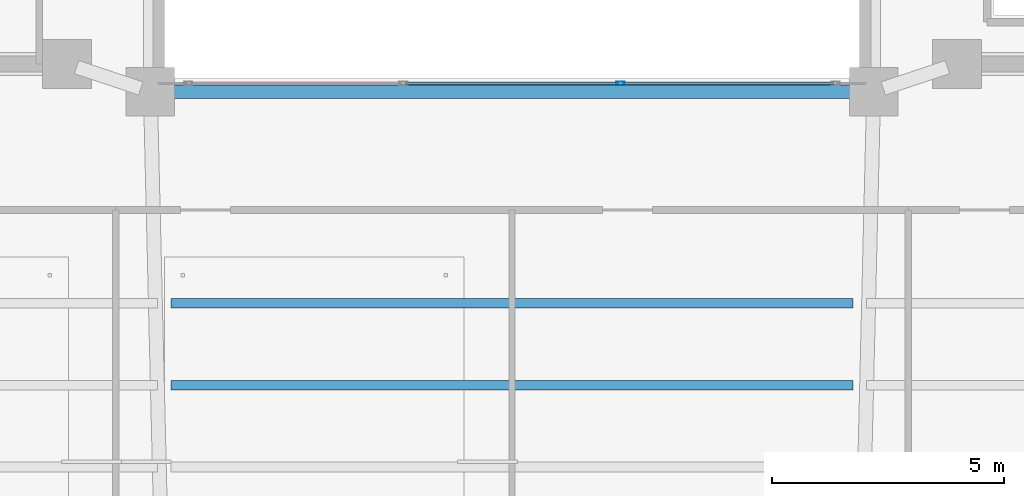
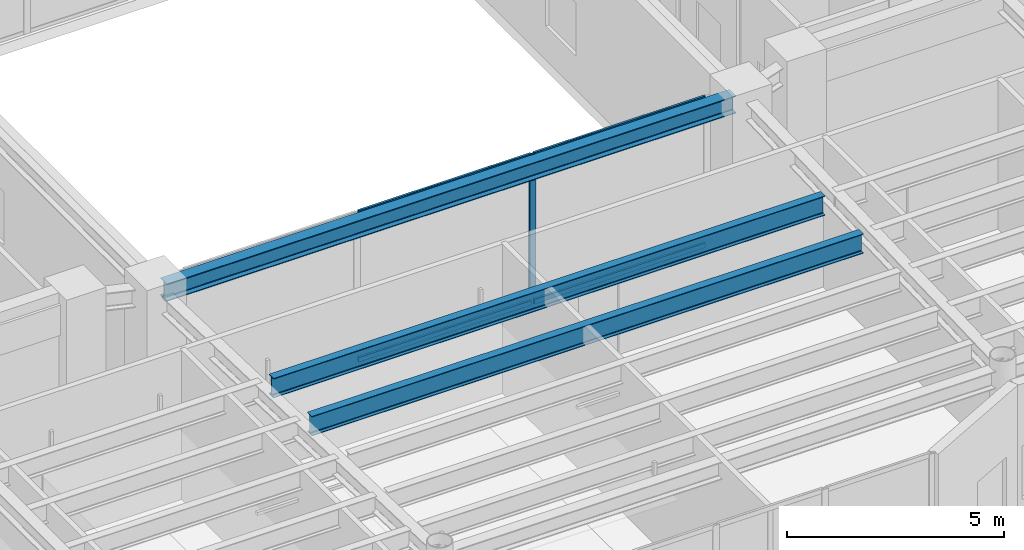
# One storey, part 7 of 33: 5 members, 3 beams, 1 element without a shape of its own.
"""IFC4 building model written with IfcOpenShell, lengths in metres."""

from ifc_helpers import new_model, si_unit, direction, frame, origin, origin_2d, place, context, subcontext, project, spatial, hollow_rectangle, i_section, extrude, material, layer, layer_set, material_profile, profile_set, type_object, element, aggregate, save


model = new_model("IFC4")

# Units and contexts
model_context = context("Model", 3, precision=1e-05, world=origin(), true_north=direction((0.0, 1.0)))
body_context = subcontext(model_context, "Body", "Model", "MODEL_VIEW")
ifc_project = project(units=[si_unit("LENGTHUNIT", "METRE"), si_unit("AREAUNIT", "SQUARE_METRE"), si_unit("VOLUMEUNIT", "CUBIC_METRE"), si_unit("PLANEANGLEUNIT", "RADIAN"), si_unit("MASSUNIT", "GRAM", prefix="KILO")], contexts=[model_context])

# Site, building, storey
site_placement = place(None, origin())
site = spatial("IfcSite", under=ifc_project, at=site_placement, CompositionType="ELEMENT")
building_placement = place(site_placement, origin())
building = spatial("IfcBuilding", under=site, at=building_placement, Name="Tarnavaz Court Tower", CompositionType="ELEMENT")
storey_placement = place(building_placement, frame((0.0, 0.0, 177.300048828125)))
storey = spatial("IfcBuildingStorey", under=building, at=storey_placement, Name="L48", CompositionType="ELEMENT", Elevation=177.300048828125)

# Beams
ifc_material_1 = material(Name="Steel S355", Category="steel")
ifc_material_profile_1 = material_profile(ifc_material_1, i_section(OverallWidth=0.2099609375, OverallDepth=0.550048828125, WebThickness=0.010986328125, FlangeThickness=0.01708984375, FilletRadius=0.02392578125, at=origin_2d()), Name="IPE 550")
ifc_profile_set_1 = profile_set([ifc_material_profile_1], Name="Steel S355")
beam_type_1 = type_object("IfcBeamType", Name="BM-J-IPE550", PredefinedType="JOIST", material=ifc_profile_set_1)
for number, where, z_axis, x_axis, name in (
    (1, (-7.35009765625, -12.364013671875, 3.925048828125), (1.0, 0.0, 0.0), (0.0, 1.0, 0.0), "L48 Beam JS1-2"),
    (2, (-7.35009765625, -14.1279296875, 3.925048828125), (1.0, 0.0, 0.0), (0.0, 1.0, 0.0), "L48 Beam JS2-2"),
):
    element("IfcBeam", number, at=place(storey_placement, frame(where, z_axis=z_axis, x_axis=x_axis)), inside=storey, type_object=beam_type_1, Name=name, PredefinedType="JOIST", context=body_context, shape_type="SweptSolid", body=[
        extrude(i_section(OverallWidth=0.2099609375, OverallDepth=0.550048828125, WebThickness=0.010986328125, FlangeThickness=0.01708984375, FilletRadius=0.02392578125, at=origin_2d()), origin(), (0.0, 0.0, 1.0), 14.7001953125),
    ])
ifc_material_profile_2 = material_profile(ifc_material_1, i_section(OverallWidth=0.300048828125, OverallDepth=0.489990234375, WebThickness=0.011962890625, FlangeThickness=0.02294921875, FilletRadius=0.027099609375, at=origin_2d()), Name="HEA 500")
ifc_profile_set_2 = profile_set([ifc_material_profile_2], Name="Steel S355")
beam_type_2 = type_object("IfcBeamType", Name="BM-SP-HEA500", PredefinedType="SPANDREL", material=ifc_profile_set_2)
beam_placement = place(storey_placement, frame((-7.580078125, -7.800048828125, 3.954833984375), z_axis=(1.0, 0.0, 0.0), x_axis=(0.0, 1.0, 0.0)))
element("IfcBeam", 3, at=beam_placement, inside=storey, type_object=beam_type_2, Name="L48 Beam IN-IW-SW-IW-SE", PredefinedType="SPANDREL", context=body_context, shape_type="SweptSolid", body=[
    extrude(i_section(OverallWidth=0.300048828125, OverallDepth=0.489990234375, WebThickness=0.011962890625, FlangeThickness=0.02294921875, FilletRadius=0.027099609375, at=origin_2d()), origin(), (0.0, 0.0, 1.0), 15.16015625),
])

# Curtain wall, members
ifc_material_2 = material(Name="Anodised Aluminium 6063-T6 and Solar Low-E Glazing", Category="aluminium")
ifc_layer = layer(ifc_material_2, 0.139892578125)
ifc_layer_set = layer_set([ifc_layer], Name="Anodised Aluminium 6063-T6 and Solar Low-E Glazing")
curtain_wall_type = type_object("IfcCurtainWallType", Name="CW-SYS-04", PredefinedType="NOTDEFINED", material=ifc_layer_set)
curtain_wall_placement = place(storey_placement, origin())
curtain_wall = element("IfcCurtainWall", 4, at=curtain_wall_placement, inside=storey, type_object=curtain_wall_type, Name="L48 Badgir Courtyard Curtain Wall S", PredefinedType="NOTDEFINED")
ifc_material_3 = material(Name="Anodised Aluminium 6063-T6", Category="aluminium")
ifc_material_profile_3 = material_profile(ifc_material_3, hollow_rectangle(XDim=0.074951171875, YDim=0.179931640625, WallThickness=0.0048828125, InnerFilletRadius=0.0048828125, OuterFilletRadius=0.010009765625, at=origin_2d()), Name="ALU RHS 180X75X5")
ifc_profile_set_3 = profile_set([ifc_material_profile_3], Name="Anodised Aluminium 6063-T6")
member_type_1 = type_object("IfcMemberType", Name="CW-MUL-180", PredefinedType="MULLION", material=ifc_profile_set_3)
member_1_placement = place(storey_placement, frame((2.340087890625, -7.6201171875, 0.0), z_axis=(0.0, 0.0, 1.0), x_axis=(0.0, 1.0, 0.0)))
member_1 = element("IfcMember", 5, at=member_1_placement, type_object=member_type_1, Name="CW mullion 3", PredefinedType="MULLION", context=body_context, shape_type="SweptSolid", body=[
    extrude(hollow_rectangle(XDim=0.074951171875, YDim=0.179931640625, WallThickness=0.0048828125, InnerFilletRadius=0.0048828125, OuterFilletRadius=0.010009765625, at=origin_2d()), origin(), (0.0, 0.0, 1.0), 4.199951171875),
])
ifc_material_profile_4 = material_profile(ifc_material_3, hollow_rectangle(XDim=0.06494140625, YDim=0.139892578125, WallThickness=0.00390625, InnerFilletRadius=0.00390625, OuterFilletRadius=0.008056640625, at=origin_2d()), Name="ALU RHS 140X65X4")
ifc_profile_set_4 = profile_set([ifc_material_profile_4], Name="Anodised Aluminium 6063-T6")
member_type_2 = type_object("IfcMemberType", Name="CW-TRN-140", PredefinedType="USERDEFINED", material=ifc_profile_set_4)
member_2_placement = place(storey_placement, frame((-2.302490234375, -7.6201171875, 0.032470703125), z_axis=(1.0, 0.0, 0.0), x_axis=(0.0, 1.0, 0.0)))
member_2 = element("IfcMember", 6, at=member_2_placement, type_object=member_type_2, Name="CW transom 2.1", ObjectType="TRANSOM", PredefinedType="USERDEFINED", context=body_context, shape_type="SweptSolid", body=[
    extrude(hollow_rectangle(XDim=0.06494140625, YDim=0.139892578125, WallThickness=0.00390625, InnerFilletRadius=0.00390625, OuterFilletRadius=0.008056640625, at=origin_2d()), origin(), (0.0, 0.0, 1.0), 4.60498046875),
])
member_3_placement = place(storey_placement, frame((-2.302490234375, -7.6201171875, 4.16748046875), z_axis=(1.0, 0.0, 0.0), x_axis=(0.0, 1.0, 0.0)))
member_3 = element("IfcMember", 7, at=member_3_placement, type_object=member_type_2, Name="CW transom 2.2", ObjectType="TRANSOM", PredefinedType="USERDEFINED", context=body_context, shape_type="SweptSolid", body=[
    extrude(hollow_rectangle(XDim=0.06494140625, YDim=0.139892578125, WallThickness=0.00390625, InnerFilletRadius=0.00390625, OuterFilletRadius=0.008056640625, at=origin_2d()), origin(), (0.0, 0.0, 1.0), 4.60498046875),
])
member_4_placement = place(storey_placement, frame((2.37744140625, -7.6201171875, 0.032470703125), z_axis=(1.0, 0.0, 0.0), x_axis=(0.0, 1.0, 0.0)))
member_4 = element("IfcMember", 8, at=member_4_placement, type_object=member_type_2, Name="CW transom 3.1", ObjectType="TRANSOM", PredefinedType="USERDEFINED", context=body_context, shape_type="SweptSolid", body=[
    extrude(hollow_rectangle(XDim=0.06494140625, YDim=0.139892578125, WallThickness=0.00390625, InnerFilletRadius=0.00390625, OuterFilletRadius=0.008056640625, at=origin_2d()), origin(), (0.0, 0.0, 1.0), 4.567626953125),
])
member_5_placement = place(storey_placement, frame((2.37744140625, -7.6201171875, 4.16748046875), z_axis=(1.0, 0.0, 0.0), x_axis=(0.0, 1.0, 0.0)))
member_5 = element("IfcMember", 9, at=member_5_placement, type_object=member_type_2, Name="CW transom 3.2", ObjectType="TRANSOM", PredefinedType="USERDEFINED", context=body_context, shape_type="SweptSolid", body=[
    extrude(hollow_rectangle(XDim=0.06494140625, YDim=0.139892578125, WallThickness=0.00390625, InnerFilletRadius=0.00390625, OuterFilletRadius=0.008056640625, at=origin_2d()), origin(), (0.0, 0.0, 1.0), 4.567626953125),
])
aggregate(curtain_wall, [member_1, member_2, member_3, member_4, member_5])

save(model, "model.ifc")
